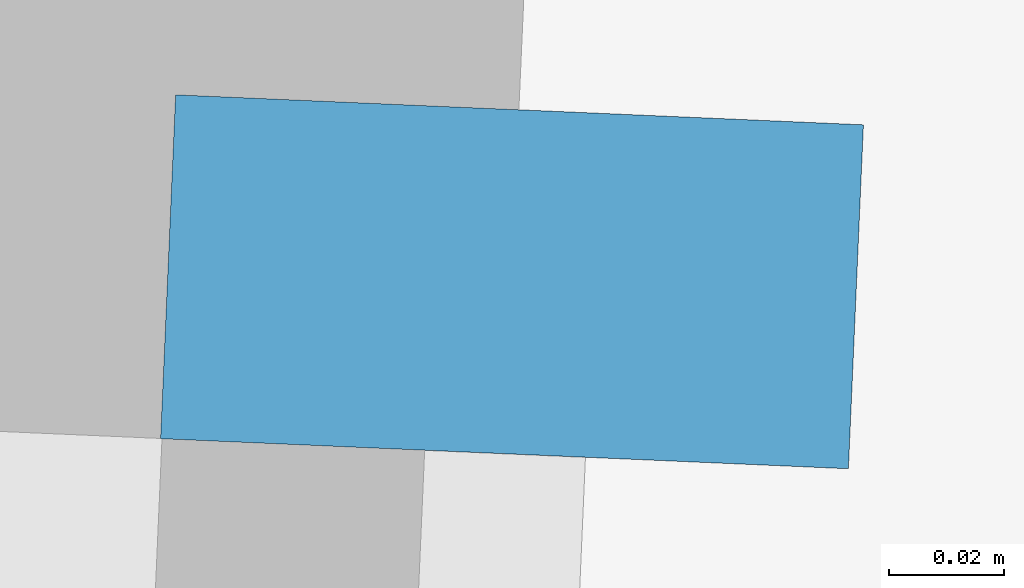
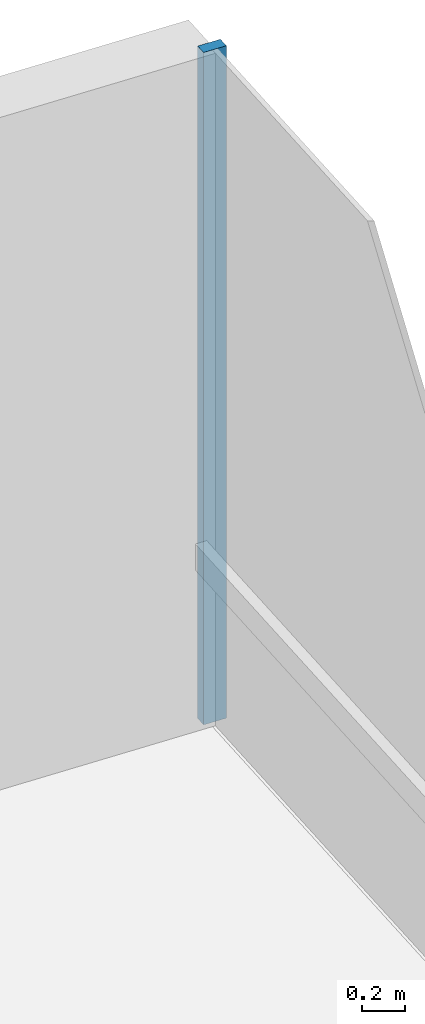
# One storey, part 13 of 19: 1 member, 1 element without a shape of its own.
"""IFC4 building model written with IfcOpenShell, lengths in metres."""

from ifc_helpers import new_model, si_unit, direction, frame, origin, origin_2d, place, context, subcontext, project, spatial, rectangle, extrude, material, layer, layer_set, material_profile, profile_set, type_object, element, aggregate, save


model = new_model("IFC4")

# Units and contexts
model_context = context("Model", 3, precision=1e-05, world=origin(), true_north=direction((0.0, 1.0)))
body_context = subcontext(model_context, "Body", "Model", "MODEL_VIEW")
ifc_project = project(units=[si_unit("LENGTHUNIT", "METRE"), si_unit("AREAUNIT", "SQUARE_METRE"), si_unit("VOLUMEUNIT", "CUBIC_METRE"), si_unit("PLANEANGLEUNIT", "RADIAN"), si_unit("MASSUNIT", "GRAM", prefix="KILO")], contexts=[model_context])

# Site, building, storey
site_placement = place(None, origin())
site = spatial("IfcSite", under=ifc_project, at=site_placement, CompositionType="ELEMENT")
building_placement = place(site_placement, origin())
building = spatial("IfcBuilding", under=site, at=building_placement, Name="Welwitschia Terrace Campus", CompositionType="ELEMENT")
storey_placement = place(building_placement, frame((0.0, 0.0, 276.800048828125)))
storey = spatial("IfcBuildingStorey", under=building, at=storey_placement, Name="L61", CompositionType="ELEMENT", Elevation=276.800048828125)

# Curtain wall, member
ifc_material_1 = material(Name="Bronze anodised aluminium", Category="aluminium")
ifc_layer = layer(ifc_material_1, 0.1201171875)
ifc_layer_set = layer_set([ifc_layer], Name="Bronze anodised aluminium")
curtain_wall_type = type_object("IfcCurtainWallType", Name="Curtain wall CW2 tower 6000", PredefinedType="NOTDEFINED", material=ifc_layer_set)
curtain_wall_placement = place(storey_placement, origin())
curtain_wall = element("IfcCurtainWall", 1, at=curtain_wall_placement, inside=storey, type_object=curtain_wall_type, Name="CW L61.7.0", PredefinedType="NOTDEFINED")
ifc_material_2 = material(Name="Bronze anodised aluminium", Category="aluminium")
ifc_material_profile = material_profile(ifc_material_2, rectangle(XDim=0.1201171875, YDim=0.06005859375, at=origin_2d()))
ifc_profile_set = profile_set([ifc_material_profile], Name="Bronze anodised aluminium")
member_type = type_object("IfcMemberType", Name="Mullion 60x120", PredefinedType="MULLION", material=ifc_profile_set)
member_placement = place(storey_placement, frame((26.52880859375, 62.477294921875, 0.0), z_axis=(0.0, 0.0, 1.0), x_axis=(-0.999048221582, 0.043619387365, 0.0)))
member = element("IfcMember", 2, at=member_placement, type_object=member_type, Name="Mullion L61.7.0.6", PredefinedType="MULLION", context=body_context, shape_type="SweptSolid", body=[
    extrude(rectangle(XDim=0.1201171875, YDim=0.06005859375, at=origin_2d()), origin(), (0.0, 0.0, 1.0), 3.849853515625),
])
aggregate(curtain_wall, [member])

save(model, "model.ifc")
